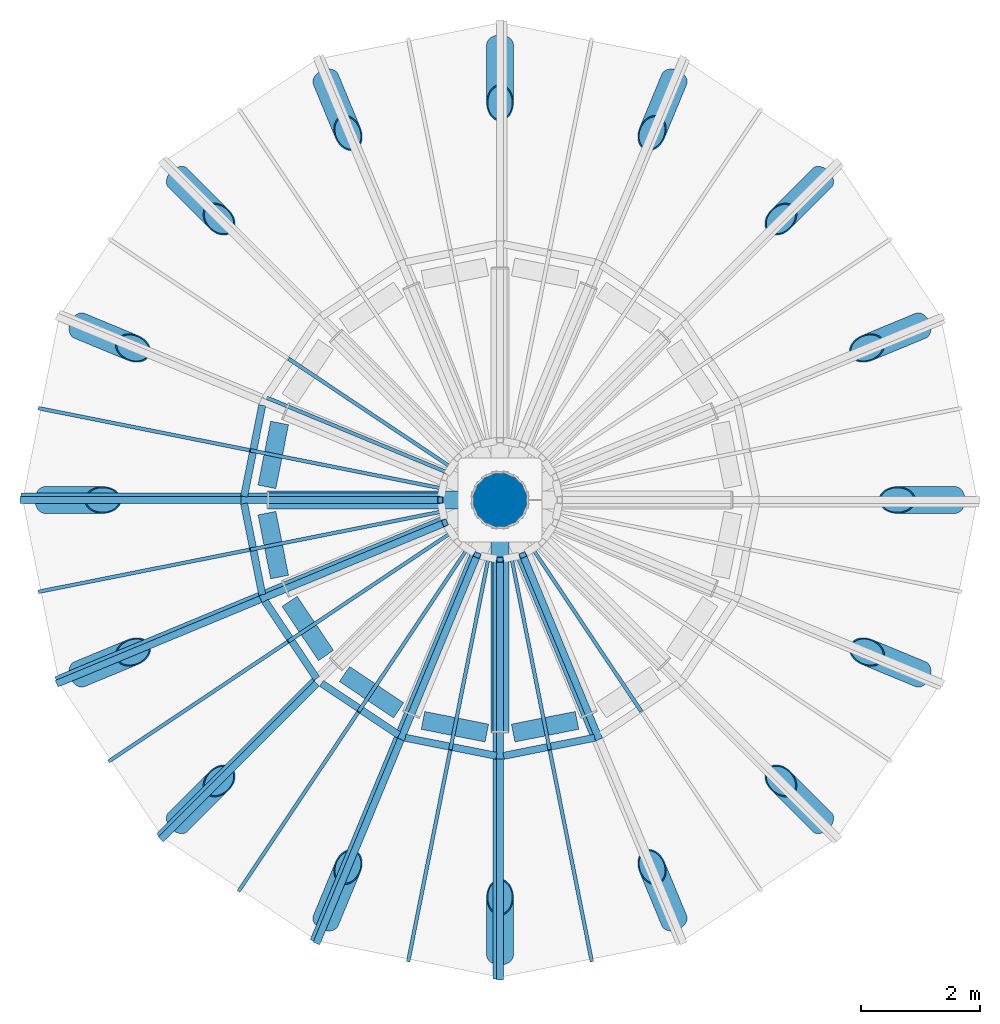
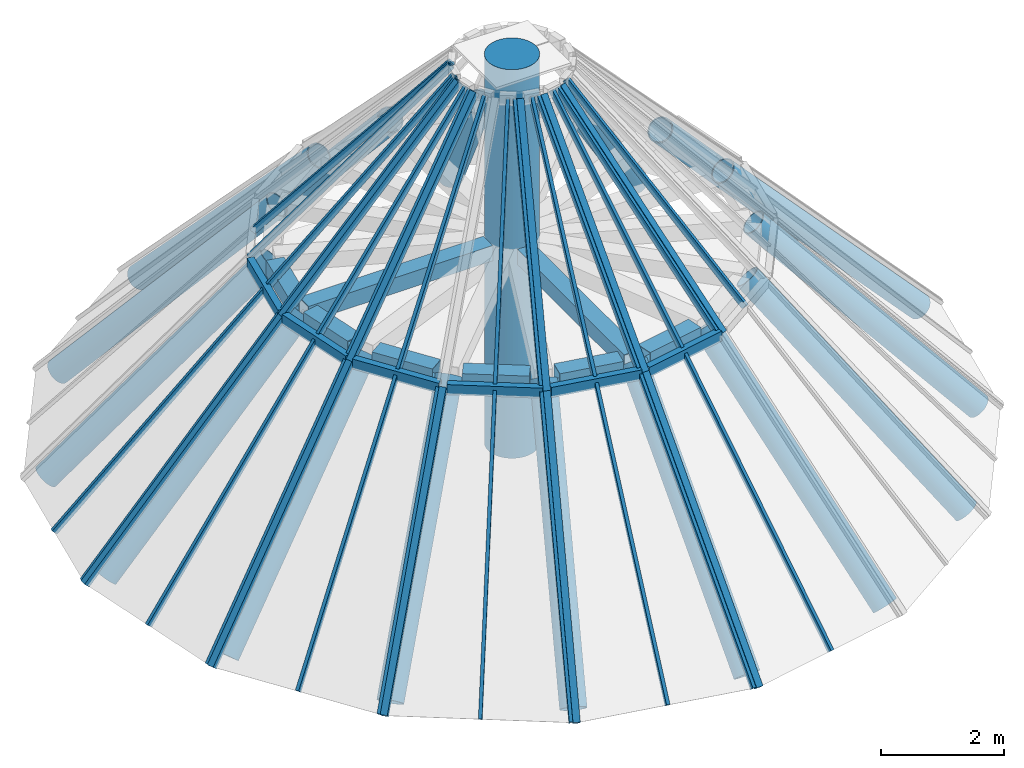
# One storey, part 1 of 5: 49 members, 17 columns, 14 elements without a shape of their own.
"""IFC4 building model written with IfcOpenShell, lengths in metres."""

from ifc_helpers import new_model, si_unit, direction, frame, origin, origin_with_axes, origin_2d, place, context, subcontext, project, spatial, rectangle, hollow_rectangle, circle, hollow_circle, extrude, material, material_profile, profile_set, type_object, element, aggregate, save


model = new_model("IFC4")

# Units and contexts
model_context = context("Model", 3, precision=1e-05, world=origin(), true_north=direction((0.0, 1.0)))
body_context = subcontext(model_context, "Body", "Model", "MODEL_VIEW")
ifc_project = project(units=[si_unit("LENGTHUNIT", "METRE"), si_unit("AREAUNIT", "SQUARE_METRE"), si_unit("VOLUMEUNIT", "CUBIC_METRE"), si_unit("PLANEANGLEUNIT", "RADIAN"), si_unit("MASSUNIT", "GRAM", prefix="KILO")], contexts=[model_context])

# Site, building, storey
site_placement = place(None, origin())
site = spatial("IfcSite", under=ifc_project, at=site_placement, CompositionType="ELEMENT")
building_placement = place(site_placement, origin())
building = spatial("IfcBuilding", under=site, at=building_placement, Name="Corvane Civic Tower", CompositionType="ELEMENT")
storey_placement = place(building_placement, frame((0.0, 0.0, 410.5)))
storey = spatial("IfcBuildingStorey", under=building, at=storey_placement, Name="Upper roof", CompositionType="ELEMENT", Elevation=410.5)

# Columns
ifc_material_1 = material(Name="Steel ASTM A572 Gr 50", Category="steel")
ifc_material_profile_1 = material_profile(ifc_material_1, hollow_circle(Radius=0.22509765625, WallThickness=0.02001953125, at=origin_2d()), Name="CHS450X20")
ifc_profile_set_1 = profile_set([ifc_material_profile_1], Name="Steel ASTM A572 Gr 50")
column_type_1 = type_object("IfcColumnType", Name="CROWN RIB CHS450X20", PredefinedType="COLUMN", material=ifc_profile_set_1)
for number, where, z_axis, x_axis, name in (
    (1, (0.0, 7.62744140625, 0.0244140625), (0.0, -0.679049269793, 0.734092697956), (1.0, 0.0, 0.0), "Crown rib CR-1"),
    (2, (2.9189453125, 7.046875, 0.0244140625), (-0.2598486698, -0.627351507448, 0.734104049101), (0.923884131492, -0.382672329255, 0.0), "Crown rib CR-3"),
    (3, (5.393310546875, 5.393310546875, 0.0244140625), (-0.48015671284, -0.48015671284, 0.734097447366), (0.707106781187, -0.707106781187, 0.0), "Crown rib CR-5"),
    (4, (7.046875, 2.9189453125, 0.0244140625), (-0.627351507448, -0.2598486698, 0.734104049101), (0.382672329255, -0.923884131492, 0.0), "Crown rib CR-7"),
    (5, (7.62744140625, 0.0, 0.0244140625), (-0.679049269793, 0.0, 0.734092697956), (0.0, -1.0, 0.0), "Crown rib CR-9"),
    (6, (7.046875, -2.9189453125, 0.0244140625), (-0.627351507448, 0.2598486698, 0.734104049101), (-0.382672329255, -0.923884131492, 0.0), "Crown rib CR-11"),
    (7, (5.393310546875, -5.393310546875, 0.0244140625), (-0.48015671284, 0.48015671284, 0.734097447366), (-0.707106781187, -0.707106781187, 0.0), "Crown rib CR-13"),
    (8, (2.9189453125, -7.046875, 0.0244140625), (-0.2598486698, 0.627351507448, 0.734104049101), (-0.923884131492, -0.382672329255, 0.0), "Crown rib CR-15"),
    (9, (0.0, -7.62744140625, 0.0244140625), (0.0, 0.679049269793, 0.734092697956), (-1.0, 0.0, 0.0), "Crown rib CR-17"),
    (10, (-2.9189453125, -7.046875, 0.0244140625), (0.2598486698, 0.627351507448, 0.734104049101), (-0.923884131492, 0.382672329255, 0.0), "Crown rib CR-19"),
    (11, (-5.393310546875, -5.393310546875, 0.0244140625), (0.48015671284, 0.48015671284, 0.734097447366), (-0.707106781187, 0.707106781187, 0.0), "Crown rib CR-21"),
    (12, (-7.046875, -2.9189453125, 0.0244140625), (0.627351507448, 0.2598486698, 0.734104049101), (-0.382672329255, 0.923884131492, 0.0), "Crown rib CR-23"),
    (13, (-7.62744140625, 0.0, 0.0244140625), (0.679049269793, 0.0, 0.734092697956), (0.0, 1.0, 0.0), "Crown rib CR-25"),
    (14, (-7.046875, 2.9189453125, 0.0244140625), (0.627351507448, -0.2598486698, 0.734104049101), (0.382672329255, 0.923884131492, 0.0), "Crown rib CR-27"),
    (15, (-5.393310546875, 5.393310546875, 0.0244140625), (0.48015671284, -0.48015671284, 0.734097447366), (0.707106781187, 0.707106781187, 0.0), "Crown rib CR-29"),
    (16, (-2.9189453125, 7.046875, 0.0244140625), (0.2598486698, -0.627351507448, 0.734104049101), (0.923884131492, 0.382672329255, 0.0), "Crown rib CR-31"),
):
    element("IfcColumn", number, at=place(storey_placement, frame(where, z_axis=z_axis, x_axis=x_axis)), inside=storey, type_object=column_type_1, Name=name, PredefinedType="COLUMN", context=body_context, shape_type="SweptSolid", body=[
        extrude(hollow_circle(Radius=0.22509765625, WallThickness=0.02001953125, at=origin_2d()), origin(), (0.0, 0.0, 1.0), 5.41552734375),
    ])
ifc_material_2 = material(Name="Steel ASTM A572 Gr 50", Category="steel")
ifc_material_profile_2 = material_profile(ifc_material_2, circle(Radius=0.449951171875, at=origin_2d()), Name="SPIRE MAST 900")
ifc_profile_set_2 = profile_set([ifc_material_profile_2], Name="Steel ASTM A572 Gr 50")
column_type_2 = type_object("IfcColumnType", Name="SPIRE MAST COLUMN SPIRE MAST 900", PredefinedType="COLUMN", material=ifc_profile_set_2)
column_placement = place(storey_placement, origin_with_axes())
element("IfcColumn", 17, at=column_placement, inside=storey, type_object=column_type_2, Name="Spire mast", PredefinedType="COLUMN", context=body_context, shape_type="SweptSolid", body=[
    extrude(circle(Radius=0.449951171875, at=origin_2d()), origin(), (0.0, 0.0, 1.0), 7.699951171875),
])

# Members
ifc_material_3 = material(Name="Steel ASTM A500 Gr C", Category="steel")
ifc_material_profile_3 = material_profile(ifc_material_3, hollow_rectangle(XDim=0.3046875, YDim=0.3046875, WallThickness=0.01171875, at=origin_2d()), Name="HSS12X12X1/2")
ifc_profile_set_3 = profile_set([ifc_material_profile_3], Name="Steel ASTM A500 Gr C")
member_type_1 = type_object("IfcMemberType", Name="CROWN HUB STRUT HSS12X12X1/2", PredefinedType="BRACE", material=ifc_profile_set_3)
for number, where, z_axis, x_axis, name in (
    (18, (0.0, -3.89990234375, 4.0), (0.0, 1.0, 0.0), (-1.0, 0.0, 0.0), "Crown hub strut"),
    (19, (-3.89990234375, 0.0, 4.0), (1.0, 0.0, 0.0), (0.0, 1.0, 0.0), "Crown hub strut"),
):
    element("IfcMember", number, at=place(storey_placement, frame(where, z_axis=z_axis, x_axis=x_axis)), inside=storey, type_object=member_type_1, Name=name, PredefinedType="BRACE", context=body_context, shape_type="SweptSolid", body=[
        extrude(hollow_rectangle(XDim=0.3046875, YDim=0.3046875, WallThickness=0.01171875, at=origin_2d()), origin(), (0.0, 0.0, 1.0), 3.453857421875),
    ])
ifc_material_4 = material(Name="Steel ASTM A500 Gr C", Category="steel")
ifc_material_profile_4 = material_profile(ifc_material_4, hollow_rectangle(XDim=0.3046875, YDim=0.3046875, WallThickness=0.01171875, at=origin_2d()), Name="HSS12X12X1/2")
ifc_profile_set_4 = profile_set([ifc_material_profile_4], Name="Steel ASTM A500 Gr C")
member_type_2 = type_object("IfcMemberType", Name="CROWN RING CHORD HSS12X12X1/2", PredefinedType="CHORD", material=ifc_profile_set_4)
for number, where, z_axis, x_axis, name in (
    (20, (1.291015625, -3.693359375, 4.0), (-0.980829426135, -0.194868255055, 0.0), (0.194868255055, -0.980829426135, 0.0), "Crown compression ring"),
    (21, (-0.220703125, -3.906005859375, 4.0), (-0.980829426135, 0.194868255055, 0.0), (-0.194868255055, -0.980829426135, 0.0), "Crown compression ring"),
    (22, (-1.69873046875, -3.5244140625, 4.0), (-0.831361269695, 0.555732344974, 0.0), (-0.555732344974, -0.831361269695, 0.0), "Crown compression ring"),
    (23, (-2.91796875, -2.60595703125, 4.0), (-0.555732344974, 0.831361269695, 0.0), (-0.831361269695, -0.555732344974, 0.0), "Crown compression ring"),
    (24, (-3.693359375, -1.291015625, 4.0), (-0.194868255055, 0.980829426135, 0.0), (-0.980829426135, -0.194868255055, 0.0), "Crown compression ring"),
    (25, (-3.906005859375, 0.220703125, 4.0), (0.194868255055, 0.980829426135, 0.0), (-0.980829426135, 0.194868255055, 0.0), "Crown compression ring"),
):
    element("IfcMember", number, at=place(storey_placement, frame(where, z_axis=z_axis, x_axis=x_axis)), inside=storey, type_object=member_type_2, Name=name, PredefinedType="CHORD", context=body_context, shape_type="SweptSolid", body=[
        extrude(hollow_rectangle(XDim=0.3046875, YDim=0.3046875, WallThickness=0.01171875, at=origin_2d()), origin(), (0.0, 0.0, 1.0), 1.09130859375),
    ])

# Curtain wall, member
ifc_material_5 = material(Name="Aluminium and glass", Category="aluminium")
curtain_wall_type = type_object("IfcCurtainWallType", Name="CROWN-CW-K-FACET", PredefinedType="NOTDEFINED", material=ifc_material_5)
curtain_wall_1_placement = place(storey_placement, origin())
curtain_wall_1 = element("IfcCurtainWall", 26, at=curtain_wall_1_placement, inside=storey, type_object=curtain_wall_type, Name="Glass cone facet 3 row 7", PredefinedType="NOTDEFINED")
ifc_material_6 = material(Name="Anodised aluminium bronze", Category="aluminium")
ifc_material_profile_5 = material_profile(ifc_material_6, rectangle(XDim=0.06005859375, YDim=0.1201171875, at=origin_2d()), Name="AL 60x120")
ifc_profile_set_5 = profile_set([ifc_material_profile_5], Name="Anodised aluminium bronze")
member_type_3 = type_object("IfcMemberType", Name="CROWN-CWK-MULLION-AL60x120", PredefinedType="MULLION", material=ifc_profile_set_5)
member_1_placement = place(storey_placement, frame((-3.506591796875, 2.343017578125, 4.0), z_axis=(0.564524922762, -0.37718643347, 0.734194801117), x_axis=(0.555552860745, 0.831481219823, 0.0)))
member_1 = element("IfcMember", 27, at=member_1_placement, type_object=member_type_3, Name="Cone mullion 3.7M", PredefinedType="MULLION", context=body_context, shape_type="SweptSolid", body=[
    extrude(rectangle(XDim=0.06005859375, YDim=0.1201171875, at=origin_2d()), origin(), (0.0, 0.0, 1.0), 4.76708984375),
])

curtain_wall_2_placement = place(storey_placement, origin())
curtain_wall_2 = element("IfcCurtainWall", 28, at=curtain_wall_2_placement, inside=storey, type_object=curtain_wall_type, Name="Glass cone facet 4 row 7", PredefinedType="NOTDEFINED")
member_2_placement = place(storey_placement, frame((-4.136474609375, 0.82275390625, 4.0), z_axis=(0.665913717929, -0.132435043802, 0.734179732387), x_axis=(0.195057125989, 0.98079188292, 0.0)))
member_2 = element("IfcMember", 29, at=member_2_placement, type_object=member_type_3, Name="Cone mullion 4.7M", PredefinedType="MULLION", context=body_context, shape_type="SweptSolid", body=[
    extrude(rectangle(XDim=0.06005859375, YDim=0.1201171875, at=origin_2d()), origin(), (0.0, 0.0, 1.0), 4.767333984375),
])

curtain_wall_3_placement = place(storey_placement, origin())
curtain_wall_3 = element("IfcCurtainWall", 30, at=curtain_wall_3_placement, inside=storey, type_object=curtain_wall_type, Name="Glass cone facet 5 row 7", PredefinedType="NOTDEFINED")
member_3_placement = place(storey_placement, frame((-4.136474609375, -0.82275390625, 4.0), z_axis=(0.665913717929, 0.132435043802, 0.734179732387), x_axis=(-0.195057125989, 0.98079188292, 0.0)))
member_3 = element("IfcMember", 31, at=member_3_placement, type_object=member_type_3, Name="Cone mullion 5.7M", PredefinedType="MULLION", context=body_context, shape_type="SweptSolid", body=[
    extrude(rectangle(XDim=0.06005859375, YDim=0.1201171875, at=origin_2d()), origin(), (0.0, 0.0, 1.0), 4.767333984375),
])

curtain_wall_4_placement = place(storey_placement, origin())
curtain_wall_4 = element("IfcCurtainWall", 32, at=curtain_wall_4_placement, inside=storey, type_object=curtain_wall_type, Name="Glass cone facet 6 row 7", PredefinedType="NOTDEFINED")
member_4_placement = place(storey_placement, frame((-3.506591796875, -2.343017578125, 4.0), z_axis=(0.564524922762, 0.37718643347, 0.734194801117), x_axis=(-0.555552860745, 0.831481219823, 0.0)))
member_4 = element("IfcMember", 33, at=member_4_placement, type_object=member_type_3, Name="Cone mullion 6.7M", PredefinedType="MULLION", context=body_context, shape_type="SweptSolid", body=[
    extrude(rectangle(XDim=0.06005859375, YDim=0.1201171875, at=origin_2d()), origin(), (0.0, 0.0, 1.0), 4.76708984375),
])

curtain_wall_5_placement = place(storey_placement, origin())
curtain_wall_5 = element("IfcCurtainWall", 34, at=curtain_wall_5_placement, inside=storey, type_object=curtain_wall_type, Name="Glass cone facet 7 row 7", PredefinedType="NOTDEFINED")
member_5_placement = place(storey_placement, frame((-2.343017578125, -3.506591796875, 4.0), z_axis=(0.37718643347, 0.564524922762, 0.734194801117), x_axis=(-0.831481219823, 0.555552860745, 0.0)))
member_5 = element("IfcMember", 35, at=member_5_placement, type_object=member_type_3, Name="Cone mullion 7.7M", PredefinedType="MULLION", context=body_context, shape_type="SweptSolid", body=[
    extrude(rectangle(XDim=0.06005859375, YDim=0.1201171875, at=origin_2d()), origin(), (0.0, 0.0, 1.0), 4.76708984375),
])

curtain_wall_6_placement = place(storey_placement, origin())
curtain_wall_6 = element("IfcCurtainWall", 36, at=curtain_wall_6_placement, inside=storey, type_object=curtain_wall_type, Name="Glass cone facet 8 row 7", PredefinedType="NOTDEFINED")
member_6_placement = place(storey_placement, frame((-0.82275390625, -4.136474609375, 4.0), z_axis=(0.132435043802, 0.665913717929, 0.734179732387), x_axis=(-0.98079188292, 0.195057125989, 0.0)))
member_6 = element("IfcMember", 37, at=member_6_placement, type_object=member_type_3, Name="Cone mullion 8.7M", PredefinedType="MULLION", context=body_context, shape_type="SweptSolid", body=[
    extrude(rectangle(XDim=0.06005859375, YDim=0.1201171875, at=origin_2d()), origin(), (0.0, 0.0, 1.0), 4.767333984375),
])

curtain_wall_7_placement = place(storey_placement, origin())
curtain_wall_7 = element("IfcCurtainWall", 38, at=curtain_wall_7_placement, inside=storey, type_object=curtain_wall_type, Name="Glass cone facet 9 row 7", PredefinedType="NOTDEFINED")
member_7_placement = place(storey_placement, frame((0.82275390625, -4.136474609375, 4.0), z_axis=(-0.132435043802, 0.665913717929, 0.734179732387), x_axis=(-0.98079188292, -0.195057125989, 0.0)))
member_7 = element("IfcMember", 39, at=member_7_placement, type_object=member_type_3, Name="Cone mullion 9.7M", PredefinedType="MULLION", context=body_context, shape_type="SweptSolid", body=[
    extrude(rectangle(XDim=0.06005859375, YDim=0.1201171875, at=origin_2d()), origin(), (0.0, 0.0, 1.0), 4.767333984375),
])

curtain_wall_8_placement = place(storey_placement, origin())
curtain_wall_8 = element("IfcCurtainWall", 40, at=curtain_wall_8_placement, inside=storey, type_object=curtain_wall_type, Name="Glass cone facet 10 row 7", PredefinedType="NOTDEFINED")
member_8_placement = place(storey_placement, frame((2.343017578125, -3.506591796875, 4.0), z_axis=(-0.37718643347, 0.564524922762, 0.734194801117), x_axis=(-0.831481219823, -0.555552860745, 0.0)))
member_8 = element("IfcMember", 41, at=member_8_placement, type_object=member_type_3, Name="Cone mullion 10.7M", PredefinedType="MULLION", context=body_context, shape_type="SweptSolid", body=[
    extrude(rectangle(XDim=0.06005859375, YDim=0.1201171875, at=origin_2d()), origin(), (0.0, 0.0, 1.0), 4.76708984375),
])

# Curtain wall, members
curtain_wall_9_placement = place(storey_placement, origin())
curtain_wall_9 = element("IfcCurtainWall", 42, at=curtain_wall_9_placement, inside=storey, type_object=curtain_wall_type, Name="Glass cone facet 4 row 6", PredefinedType="NOTDEFINED")
ifc_material_7 = material(Name="Steel ASTM A500 Gr C", Category="steel")
ifc_material_profile_6 = material_profile(ifc_material_7, hollow_rectangle(XDim=0.06005859375, YDim=0.1201171875, WallThickness=0.0048828125, at=origin_2d()), Name="RHS 120x60x5")
ifc_profile_set_6 = profile_set([ifc_material_profile_6], Name="Steel ASTM A500 Gr C")
member_type_4 = type_object("IfcMemberType", Name="CROWN-CWK-MULLION-RHS120x60x5", PredefinedType="MULLION", material=ifc_profile_set_6)
member_9_placement = place(storey_placement, frame((-7.695556640625, 1.53076171875, 0.0), z_axis=(0.658995033147, -0.131093812329, 0.740634834893), x_axis=(0.195106857875, 0.980781991071, 0.0)))
member_9 = element("IfcMember", 43, at=member_9_placement, type_object=member_type_4, Name="Cone mullion 4.6M", PredefinedType="MULLION", context=body_context, shape_type="SweptSolid", body=[
    extrude(hollow_rectangle(XDim=0.06005859375, YDim=0.1201171875, WallThickness=0.0048828125, at=origin_2d()), origin(), (0.0, 0.0, 1.0), 5.40087890625),
])
member_10_placement = place(storey_placement, frame((-7.982421875, 0.08837890625, 0.0), z_axis=(0.679037152378, 0.0, 0.734103906603), x_axis=(0.0, 1.0, 0.0)))
member_10 = element("IfcMember", 44, at=member_10_placement, type_object=member_type_4, Name="Cone mullion 4.6J", PredefinedType="MULLION", context=body_context, shape_type="SweptSolid", body=[
    extrude(hollow_rectangle(XDim=0.06005859375, YDim=0.1201171875, WallThickness=0.0048828125, at=origin_2d()), origin(), (0.0, 0.0, 1.0), 5.44873046875),
])

curtain_wall_10_placement = place(storey_placement, origin())
curtain_wall_10 = element("IfcCurtainWall", 45, at=curtain_wall_10_placement, inside=storey, type_object=curtain_wall_type, Name="Glass cone facet 5 row 6", PredefinedType="NOTDEFINED")
member_11_placement = place(storey_placement, frame((-7.695556640625, -1.53076171875, 0.0), z_axis=(0.658995033147, 0.131093812329, 0.740634834893), x_axis=(-0.195106857875, 0.980781991071, 0.0)))
member_11 = element("IfcMember", 46, at=member_11_placement, type_object=member_type_4, Name="Cone mullion 5.6M", PredefinedType="MULLION", context=body_context, shape_type="SweptSolid", body=[
    extrude(hollow_rectangle(XDim=0.06005859375, YDim=0.1201171875, WallThickness=0.0048828125, at=origin_2d()), origin(), (0.0, 0.0, 1.0), 5.40087890625),
])
member_12_placement = place(storey_placement, frame((-7.40869140625, -2.973388671875, 0.0), z_axis=(0.627354519135, 0.259911695865, 0.734079163084), x_axis=(-0.382749981687, 0.923851964071, 0.0)))
member_12 = element("IfcMember", 47, at=member_12_placement, type_object=member_type_4, Name="Cone mullion 5.6J", PredefinedType="MULLION", context=body_context, shape_type="SweptSolid", body=[
    extrude(hollow_rectangle(XDim=0.06005859375, YDim=0.1201171875, WallThickness=0.0048828125, at=origin_2d()), origin(), (0.0, 0.0, 1.0), 5.448974609375),
])

curtain_wall_11_placement = place(storey_placement, origin())
curtain_wall_11 = element("IfcCurtainWall", 48, at=curtain_wall_11_placement, inside=storey, type_object=curtain_wall_type, Name="Glass cone facet 6 row 6", PredefinedType="NOTDEFINED")
member_13_placement = place(storey_placement, frame((-6.52392578125, -4.359130859375, 0.0), z_axis=(0.55867917926, 0.373296598619, 0.740626237802), x_axis=(-0.55556931275, 0.831470227207, 0.0)))
member_13 = element("IfcMember", 49, at=member_13_placement, type_object=member_type_4, Name="Cone mullion 6.6M", PredefinedType="MULLION", context=body_context, shape_type="SweptSolid", body=[
    extrude(hollow_rectangle(XDim=0.06005859375, YDim=0.1201171875, WallThickness=0.0048828125, at=origin_2d()), origin(), (0.0, 0.0, 1.0), 5.40087890625),
])
member_14_placement = place(storey_placement, frame((-5.706787109375, -5.581787109375, 0.0), z_axis=(0.480157196441, 0.480112388939, 0.734126120427), x_axis=(-0.70707378584, 0.707139774994, 0.0)))
member_14 = element("IfcMember", 50, at=member_14_placement, type_object=member_type_4, Name="Cone mullion 6.6J", PredefinedType="MULLION", context=body_context, shape_type="SweptSolid", body=[
    extrude(hollow_rectangle(XDim=0.06005859375, YDim=0.1201171875, WallThickness=0.0048828125, at=origin_2d()), origin(), (0.0, 0.0, 1.0), 5.44873046875),
])

curtain_wall_12_placement = place(storey_placement, origin())
curtain_wall_12 = element("IfcCurtainWall", 51, at=curtain_wall_12_placement, inside=storey, type_object=curtain_wall_type, Name="Glass cone facet 7 row 6", PredefinedType="NOTDEFINED")
member_15_placement = place(storey_placement, frame((-4.359130859375, -6.52392578125, 0.0), z_axis=(0.373296598619, 0.55867917926, 0.740626237802), x_axis=(-0.831470227207, 0.55556931275, 0.0)))
member_15 = element("IfcMember", 52, at=member_15_placement, type_object=member_type_4, Name="Cone mullion 7.6M", PredefinedType="MULLION", context=body_context, shape_type="SweptSolid", body=[
    extrude(hollow_rectangle(XDim=0.06005859375, YDim=0.1201171875, WallThickness=0.0048828125, at=origin_2d()), origin(), (0.0, 0.0, 1.0), 5.40087890625),
])
member_16_placement = place(storey_placement, frame((-3.136474609375, -7.341064453125, 0.0), z_axis=(0.259911695865, 0.627354519135, 0.734079163084), x_axis=(-0.923851964071, 0.382749981687, 0.0)))
member_16 = element("IfcMember", 53, at=member_16_placement, type_object=member_type_4, Name="Cone mullion 7.6J", PredefinedType="MULLION", context=body_context, shape_type="SweptSolid", body=[
    extrude(hollow_rectangle(XDim=0.06005859375, YDim=0.1201171875, WallThickness=0.0048828125, at=origin_2d()), origin(), (0.0, 0.0, 1.0), 5.448974609375),
])

curtain_wall_13_placement = place(storey_placement, origin())
curtain_wall_13 = element("IfcCurtainWall", 54, at=curtain_wall_13_placement, inside=storey, type_object=curtain_wall_type, Name="Glass cone facet 8 row 6", PredefinedType="NOTDEFINED")
member_17_placement = place(storey_placement, frame((-1.53076171875, -7.695556640625, 0.0), z_axis=(0.131093812329, 0.658995033147, 0.740634834893), x_axis=(-0.980781991071, 0.195106857875, 0.0)))
member_17 = element("IfcMember", 55, at=member_17_placement, type_object=member_type_4, Name="Cone mullion 8.6M", PredefinedType="MULLION", context=body_context, shape_type="SweptSolid", body=[
    extrude(hollow_rectangle(XDim=0.06005859375, YDim=0.1201171875, WallThickness=0.0048828125, at=origin_2d()), origin(), (0.0, 0.0, 1.0), 5.40087890625),
])
member_18_placement = place(storey_placement, frame((-0.08837890625, -7.982421875, 0.0), z_axis=(0.0, 0.679037152378, 0.734103906603), x_axis=(-1.0, 0.0, 0.0)))
member_18 = element("IfcMember", 56, at=member_18_placement, type_object=member_type_4, Name="Cone mullion 8.6J", PredefinedType="MULLION", context=body_context, shape_type="SweptSolid", body=[
    extrude(hollow_rectangle(XDim=0.06005859375, YDim=0.1201171875, WallThickness=0.0048828125, at=origin_2d()), origin(), (0.0, 0.0, 1.0), 5.44873046875),
])

# Curtain wall, member
curtain_wall_14_placement = place(storey_placement, origin())
curtain_wall_14 = element("IfcCurtainWall", 57, at=curtain_wall_14_placement, inside=storey, type_object=curtain_wall_type, Name="Glass cone facet 9 row 6", PredefinedType="NOTDEFINED")
member_19_placement = place(storey_placement, frame((1.53076171875, -7.695556640625, 0.0), z_axis=(-0.131093812329, 0.658995033147, 0.740634834893), x_axis=(-0.980781991071, -0.195106857875, 0.0)))
member_19 = element("IfcMember", 58, at=member_19_placement, type_object=member_type_4, Name="Cone mullion 9.6M", PredefinedType="MULLION", context=body_context, shape_type="SweptSolid", body=[
    extrude(hollow_rectangle(XDim=0.06005859375, YDim=0.1201171875, WallThickness=0.0048828125, at=origin_2d()), origin(), (0.0, 0.0, 1.0), 5.40087890625),
])

# Member
member_20_placement = place(storey_placement, frame((-3.922607421875, 1.72021484375, 4.0), z_axis=(0.633801975336, -0.262493899458, 0.72759329904), x_axis=(0.382639293348, 0.923897814256, 0.0)))
member_20 = element("IfcMember", 59, at=member_20_placement, type_object=member_type_4, Name="Cone mullion 3.7J", PredefinedType="MULLION", context=body_context, shape_type="SweptSolid", body=[
    extrude(hollow_rectangle(XDim=0.06005859375, YDim=0.1201171875, WallThickness=0.0048828125, at=origin_2d()), origin(), (0.0, 0.0, 1.0), 4.810302734375),
])

aggregate(curtain_wall_1, [member_1, member_20])

member_21_placement = place(storey_placement, frame((-4.282470703125, 0.08837890625, 4.0), z_axis=(0.686018242181, 0.0, 0.727584339713), x_axis=(0.0, 1.0, 0.0)))
member_21 = element("IfcMember", 60, at=member_21_placement, type_object=member_type_4, Name="Cone mullion 4.7J", PredefinedType="MULLION", context=body_context, shape_type="SweptSolid", body=[
    extrude(hollow_rectangle(XDim=0.06005859375, YDim=0.1201171875, WallThickness=0.0048828125, at=origin_2d()), origin(), (0.0, 0.0, 1.0), 4.810546875),
])

aggregate(curtain_wall_2, [member_2, member_21])

member_22_placement = place(storey_placement, frame((-3.990234375, -1.55712890625, 4.0), z_axis=(0.633793530974, 0.262541154367, 0.727583605065), x_axis=(-0.382702441477, 0.92387165845, 0.0)))
member_22 = element("IfcMember", 61, at=member_22_placement, type_object=member_type_4, Name="Cone mullion 5.7J", PredefinedType="MULLION", context=body_context, shape_type="SweptSolid", body=[
    extrude(hollow_rectangle(XDim=0.06005859375, YDim=0.1201171875, WallThickness=0.0048828125, at=origin_2d()), origin(), (0.0, 0.0, 1.0), 4.810546875),
])

member_23_placement = place(storey_placement, frame((-1.72021484375, -3.922607421875, 4.0), z_axis=(0.262493899458, 0.633801975336, 0.72759329904), x_axis=(-0.923897814256, 0.382639293348, 0.0)))
member_23 = element("IfcMember", 62, at=member_23_placement, type_object=member_type_4, Name="Cone mullion 7.7J", PredefinedType="MULLION", context=body_context, shape_type="SweptSolid", body=[
    extrude(hollow_rectangle(XDim=0.06005859375, YDim=0.1201171875, WallThickness=0.0048828125, at=origin_2d()), origin(), (0.0, 0.0, 1.0), 4.810302734375),
])

aggregate(curtain_wall_5, [member_5, member_23])

member_24_placement = place(storey_placement, frame((-0.08837890625, -4.282470703125, 4.0), z_axis=(0.0, 0.686018242181, 0.727584339713), x_axis=(-1.0, 0.0, 0.0)))
member_24 = element("IfcMember", 63, at=member_24_placement, type_object=member_type_4, Name="Cone mullion 8.7J", PredefinedType="MULLION", context=body_context, shape_type="SweptSolid", body=[
    extrude(hollow_rectangle(XDim=0.06005859375, YDim=0.1201171875, WallThickness=0.0048828125, at=origin_2d()), origin(), (0.0, 0.0, 1.0), 4.810546875),
])

member_25_placement = place(storey_placement, frame((1.55712890625, -3.990234375, 4.0), z_axis=(-0.262541154367, 0.633793530974, 0.727583605065), x_axis=(-0.92387165845, -0.382702441477, 0.0)))
member_25 = element("IfcMember", 64, at=member_25_placement, type_object=member_type_4, Name="Cone mullion 9.7J", PredefinedType="MULLION", context=body_context, shape_type="SweptSolid", body=[
    extrude(hollow_rectangle(XDim=0.06005859375, YDim=0.1201171875, WallThickness=0.0048828125, at=origin_2d()), origin(), (0.0, 0.0, 1.0), 4.810546875),
])

ifc_material_8 = material(Name="Steel ASTM A500 Gr C", Category="steel")
ifc_material_profile_7 = material_profile(ifc_material_8, hollow_rectangle(XDim=0.1201171875, YDim=0.1201171875, WallThickness=0.006103515625, at=origin_2d()), Name="RHS 120x120x6")
ifc_profile_set_7 = profile_set([ifc_material_profile_7], Name="Steel ASTM A500 Gr C")
member_type_5 = type_object("IfcMemberType", Name="CROWN-CWK-RIB-RHS120x120x6", PredefinedType="MULLION", material=ifc_profile_set_7)
member_26_placement = place(storey_placement, frame((-8.0, 0.0, 0.0), z_axis=(0.679037152378, 0.0, 0.734103906603), x_axis=(0.0, 1.0, 0.0)))
member_26 = element("IfcMember", 65, at=member_26_placement, type_object=member_type_5, Name="Cone rib 5.6", PredefinedType="MULLION", context=body_context, shape_type="SweptSolid", body=[
    extrude(hollow_rectangle(XDim=0.1201171875, YDim=0.1201171875, WallThickness=0.006103515625, at=origin_2d()), origin(), (0.0, 0.0, 1.0), 5.44873046875),
])

member_27_placement = place(storey_placement, frame((-7.39111328125, -3.0615234375, 0.0), z_axis=(0.627361824332, 0.259869917235, 0.734087711031), x_axis=(-0.382693665462, 0.923875293758, 0.0)))
member_27 = element("IfcMember", 66, at=member_27_placement, type_object=member_type_5, Name="Cone rib 6.6", PredefinedType="MULLION", context=body_context, shape_type="SweptSolid", body=[
    extrude(hollow_rectangle(XDim=0.1201171875, YDim=0.1201171875, WallThickness=0.006103515625, at=origin_2d()), origin(), (0.0, 0.0, 1.0), 5.448974609375),
])

member_28_placement = place(storey_placement, frame((-5.65673828125, -5.65673828125, 0.0), z_axis=(0.480146866845, 0.480146866845, 0.734110327211), x_axis=(-0.707106781187, 0.707106781187, 0.0)))
member_28 = element("IfcMember", 67, at=member_28_placement, type_object=member_type_5, Name="Cone rib 7.6", PredefinedType="MULLION", context=body_context, shape_type="SweptSolid", body=[
    extrude(hollow_rectangle(XDim=0.1201171875, YDim=0.1201171875, WallThickness=0.006103515625, at=origin_2d()), origin(), (0.0, 0.0, 1.0), 5.44873046875),
])

member_29_placement = place(storey_placement, frame((-3.0615234375, -7.39111328125, 0.0), z_axis=(0.259869917235, 0.627361824332, 0.734087711031), x_axis=(-0.923875293758, 0.382693665462, 0.0)))
member_29 = element("IfcMember", 68, at=member_29_placement, type_object=member_type_5, Name="Cone rib 8.6", PredefinedType="MULLION", context=body_context, shape_type="SweptSolid", body=[
    extrude(hollow_rectangle(XDim=0.1201171875, YDim=0.1201171875, WallThickness=0.006103515625, at=origin_2d()), origin(), (0.0, 0.0, 1.0), 5.448974609375),
])

member_30_placement = place(storey_placement, frame((0.0, -8.0, 0.0), z_axis=(0.0, 0.679037152378, 0.734103906603), x_axis=(-1.0, 0.0, 0.0)))
member_30 = element("IfcMember", 69, at=member_30_placement, type_object=member_type_5, Name="Cone rib 9.6", PredefinedType="MULLION", context=body_context, shape_type="SweptSolid", body=[
    extrude(hollow_rectangle(XDim=0.1201171875, YDim=0.1201171875, WallThickness=0.006103515625, at=origin_2d()), origin(), (0.0, 0.0, 1.0), 5.44873046875),
])

member_31_placement = place(storey_placement, frame((-4.300048828125, 0.0, 4.0), z_axis=(0.686018242181, 0.0, 0.727584339713), x_axis=(0.0, 1.0, 0.0)))
member_31 = element("IfcMember", 70, at=member_31_placement, type_object=member_type_5, Name="Cone rib 5.7", PredefinedType="MULLION", context=body_context, shape_type="SweptSolid", body=[
    extrude(hollow_rectangle(XDim=0.1201171875, YDim=0.1201171875, WallThickness=0.006103515625, at=origin_2d()), origin(), (0.0, 0.0, 1.0), 4.810546875),
])

aggregate(curtain_wall_3, [member_31, member_3, member_22])

member_32_placement = place(storey_placement, frame((-3.97265625, -1.6455078125, 4.0), z_axis=(0.633793530974, 0.262541154367, 0.727583605065), x_axis=(-0.382702441477, 0.92387165845, 0.0)))
member_32 = element("IfcMember", 71, at=member_32_placement, type_object=member_type_5, Name="Cone rib 6.7", PredefinedType="MULLION", context=body_context, shape_type="SweptSolid", body=[
    extrude(hollow_rectangle(XDim=0.1201171875, YDim=0.1201171875, WallThickness=0.006103515625, at=origin_2d()), origin(), (0.0, 0.0, 1.0), 4.810546875),
])

aggregate(curtain_wall_4, [member_32, member_4])

member_33_placement = place(storey_placement, frame((-1.6455078125, -3.97265625, 4.0), z_axis=(0.262541154367, 0.633793530974, 0.727583605065), x_axis=(-0.92387165845, 0.382702441477, 0.0)))
member_33 = element("IfcMember", 72, at=member_33_placement, type_object=member_type_5, Name="Cone rib 8.7", PredefinedType="MULLION", context=body_context, shape_type="SweptSolid", body=[
    extrude(hollow_rectangle(XDim=0.1201171875, YDim=0.1201171875, WallThickness=0.006103515625, at=origin_2d()), origin(), (0.0, 0.0, 1.0), 4.810546875),
])

aggregate(curtain_wall_6, [member_33, member_6, member_24])

member_34_placement = place(storey_placement, frame((0.0, -4.300048828125, 4.0), z_axis=(0.0, 0.686018242181, 0.727584339713), x_axis=(-1.0, 0.0, 0.0)))
member_34 = element("IfcMember", 73, at=member_34_placement, type_object=member_type_5, Name="Cone rib 9.7", PredefinedType="MULLION", context=body_context, shape_type="SweptSolid", body=[
    extrude(hollow_rectangle(XDim=0.1201171875, YDim=0.1201171875, WallThickness=0.006103515625, at=origin_2d()), origin(), (0.0, 0.0, 1.0), 4.810546875),
])

aggregate(curtain_wall_7, [member_34, member_7, member_25])

member_35_placement = place(storey_placement, frame((1.6455078125, -3.97265625, 4.0), z_axis=(-0.262541154367, 0.633793530974, 0.727583605065), x_axis=(-0.92387165845, -0.382702441477, 0.0)))
member_35 = element("IfcMember", 74, at=member_35_placement, type_object=member_type_5, Name="Cone rib 10.7", PredefinedType="MULLION", context=body_context, shape_type="SweptSolid", body=[
    extrude(hollow_rectangle(XDim=0.1201171875, YDim=0.1201171875, WallThickness=0.006103515625, at=origin_2d()), origin(), (0.0, 0.0, 1.0), 4.810546875),
])

aggregate(curtain_wall_8, [member_35, member_8])

ifc_material_9 = material(Name="Steel ASTM A500 Gr C", Category="steel")
ifc_material_profile_8 = material_profile(ifc_material_9, hollow_rectangle(XDim=0.1201171875, YDim=0.199951171875, WallThickness=0.006103515625, at=origin_2d()), Name="RHS 200x120x6")
ifc_profile_set_8 = profile_set([ifc_material_profile_8], Name="Steel ASTM A500 Gr C")
member_type_6 = type_object("IfcMemberType", Name="CROWN-CWK-RING-RHS200x120x6", PredefinedType="USERDEFINED", material=ifc_profile_set_8)
member_36_placement = place(storey_placement, frame((-3.984375, 1.586669921875, 4.0), z_axis=(-0.195121439339, -0.98077909027, 0.0), x_axis=(0.98077909027, -0.195121439339, 0.0)))
member_36 = element("IfcMember", 75, at=member_36_placement, type_object=member_type_6, Name="Cone ring member 4.6", ObjectType="TRANSOM", PredefinedType="USERDEFINED", context=body_context, shape_type="SweptSolid", body=[
    extrude(hollow_rectangle(XDim=0.1201171875, YDim=0.199951171875, WallThickness=0.006103515625, at=origin_2d()), origin(), (0.0, 0.0, 1.0), 1.557861328125),
])

aggregate(curtain_wall_9, [member_36, member_9, member_10])

member_37_placement = place(storey_placement, frame((-4.288330078125, -0.058837890625, 4.0), z_axis=(0.195121439339, -0.98077909027, 0.0), x_axis=(0.98077909027, 0.195121439339, 0.0)))
member_37 = element("IfcMember", 76, at=member_37_placement, type_object=member_type_6, Name="Cone ring member 5.6", ObjectType="TRANSOM", PredefinedType="USERDEFINED", context=body_context, shape_type="SweptSolid", body=[
    extrude(hollow_rectangle(XDim=0.1201171875, YDim=0.199951171875, WallThickness=0.006103515625, at=origin_2d()), origin(), (0.0, 0.0, 1.0), 1.557861328125),
])

aggregate(curtain_wall_10, [member_26, member_37, member_11, member_12])

member_38_placement = place(storey_placement, frame((-3.939208984375, -1.6953125, 4.0), z_axis=(0.555495712569, -0.831519400446, 0.0), x_axis=(0.831519400446, 0.555495712569, 0.0)))
member_38 = element("IfcMember", 77, at=member_38_placement, type_object=member_type_6, Name="Cone ring member 6.6", ObjectType="TRANSOM", PredefinedType="USERDEFINED", context=body_context, shape_type="SweptSolid", body=[
    extrude(hollow_rectangle(XDim=0.1201171875, YDim=0.199951171875, WallThickness=0.006103515625, at=origin_2d()), origin(), (0.0, 0.0, 1.0), 1.5576171875),
])

aggregate(curtain_wall_11, [member_27, member_38, member_13, member_14])

member_39_placement = place(storey_placement, frame((-2.990478515625, -3.073974609375, 4.0), z_axis=(0.831519400446, -0.555495712569, 0.0), x_axis=(0.555495712569, 0.831519400446, 0.0)))
member_39 = element("IfcMember", 78, at=member_39_placement, type_object=member_type_6, Name="Cone ring member 7.6", ObjectType="TRANSOM", PredefinedType="USERDEFINED", context=body_context, shape_type="SweptSolid", body=[
    extrude(hollow_rectangle(XDim=0.1201171875, YDim=0.199951171875, WallThickness=0.006103515625, at=origin_2d()), origin(), (0.0, 0.0, 1.0), 1.5576171875),
])

aggregate(curtain_wall_12, [member_28, member_39, member_15, member_16])

member_40_placement = place(storey_placement, frame((-1.586669921875, -3.984375, 4.0), z_axis=(0.98077909027, -0.195121439339, 0.0), x_axis=(0.195121439339, 0.98077909027, 0.0)))
member_40 = element("IfcMember", 79, at=member_40_placement, type_object=member_type_6, Name="Cone ring member 8.6", ObjectType="TRANSOM", PredefinedType="USERDEFINED", context=body_context, shape_type="SweptSolid", body=[
    extrude(hollow_rectangle(XDim=0.1201171875, YDim=0.199951171875, WallThickness=0.006103515625, at=origin_2d()), origin(), (0.0, 0.0, 1.0), 1.557861328125),
])

aggregate(curtain_wall_13, [member_29, member_40, member_17, member_18])

member_41_placement = place(storey_placement, frame((0.058837890625, -4.288330078125, 4.0), z_axis=(0.98077909027, 0.195121439339, 0.0), x_axis=(-0.195121439339, 0.98077909027, 0.0)))
member_41 = element("IfcMember", 80, at=member_41_placement, type_object=member_type_6, Name="Cone ring member 9.6", ObjectType="TRANSOM", PredefinedType="USERDEFINED", context=body_context, shape_type="SweptSolid", body=[
    extrude(hollow_rectangle(XDim=0.1201171875, YDim=0.199951171875, WallThickness=0.006103515625, at=origin_2d()), origin(), (0.0, 0.0, 1.0), 1.557861328125),
])

aggregate(curtain_wall_14, [member_30, member_41, member_19])

save(model, "model.ifc")
